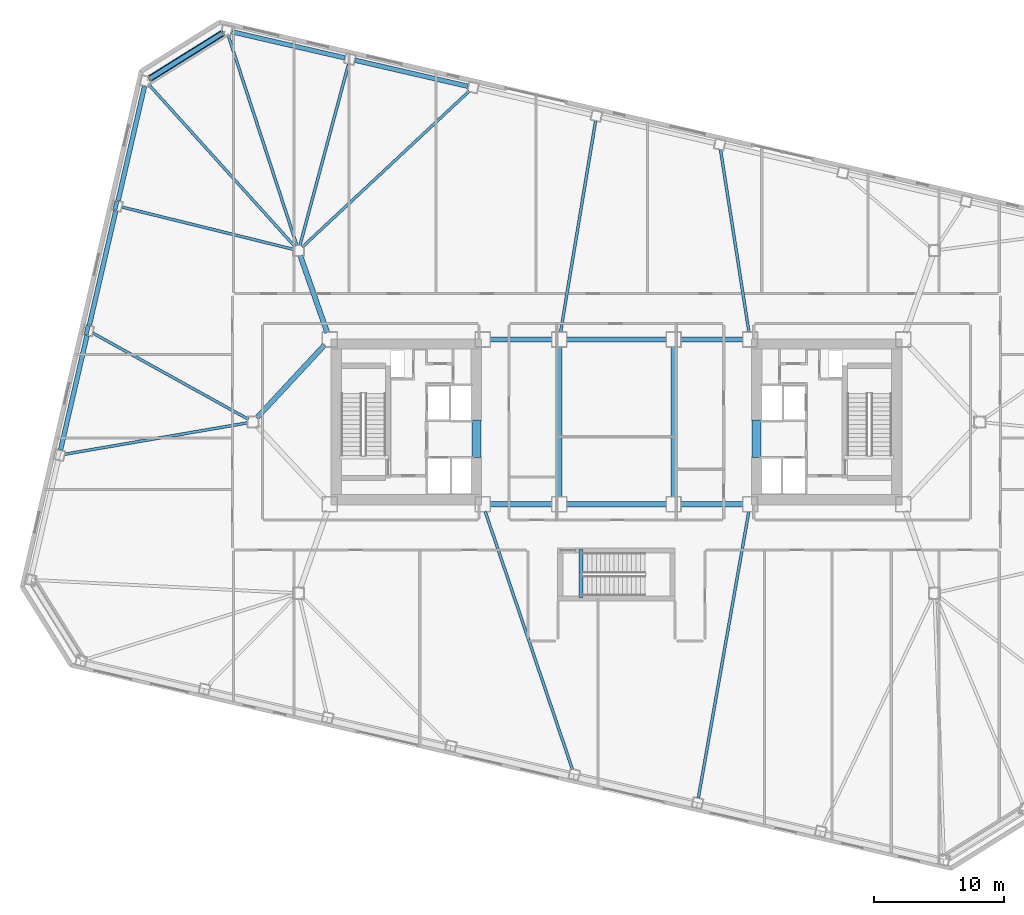
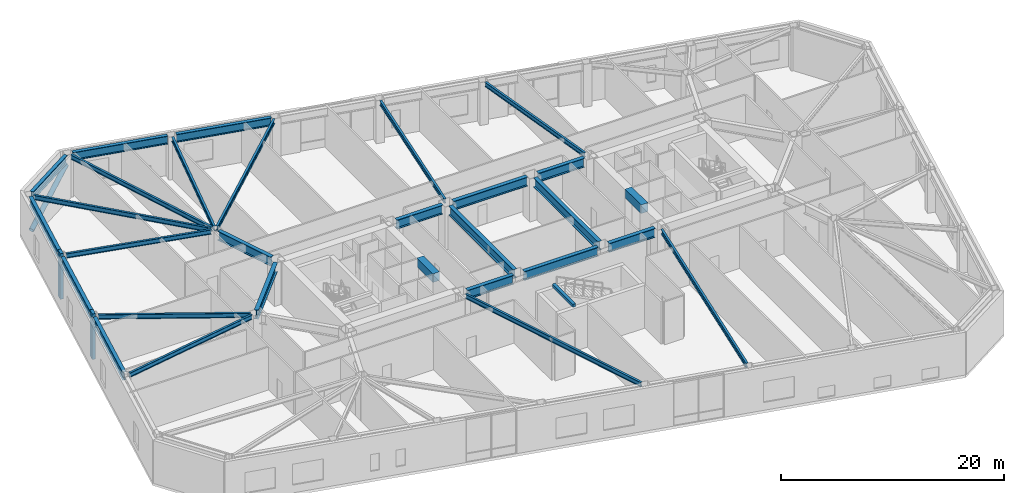
# One storey, part 5 of 21: 30 beams, 3 members.
"""IFC4 building model written with IfcOpenShell, lengths in metres."""

from ifc_helpers import new_model, si_unit, direction, frame, origin, origin_2d, place, context, subcontext, project, spatial, rectangle, hollow_circle, i_section, extrude, material, material_profile, profile_set, type_object, element, save


model = new_model("IFC4")

# Units and contexts
model_context = context("Model", 3, precision=1e-05, world=origin(), true_north=direction((0.0, 1.0)))
body_context = subcontext(model_context, "Body", "Model", "MODEL_VIEW")
ifc_project = project(units=[si_unit("LENGTHUNIT", "METRE"), si_unit("AREAUNIT", "SQUARE_METRE"), si_unit("VOLUMEUNIT", "CUBIC_METRE"), si_unit("PLANEANGLEUNIT", "RADIAN"), si_unit("MASSUNIT", "GRAM", prefix="KILO")], contexts=[model_context])

# Site, building, storey
site_placement = place(None, origin())
site = spatial("IfcSite", under=ifc_project, at=site_placement, CompositionType="ELEMENT")
building_placement = place(site_placement, origin())
building = spatial("IfcBuilding", under=site, at=building_placement, Name="Tavrogorsk Clinical Tower", CompositionType="ELEMENT")
storey_placement = place(building_placement, frame((0.0, 0.0, 8.39990234375)))
storey = spatial("IfcBuildingStorey", under=building, at=storey_placement, Name="L01", CompositionType="ELEMENT", Elevation=8.39990234375)

# Beams
ifc_material_1 = material(Name="Concrete B80", Category="concrete")
ifc_material_profile_1 = material_profile(ifc_material_1, rectangle(XDim=0.699951171875, YDim=0.949951171875, at=origin_2d()), Name="RC-CB-700x950")
ifc_profile_set_1 = profile_set([ifc_material_profile_1], Name="Concrete B80")
beam_type_1 = type_object("IfcBeamType", Name="CouplingBeam_RC700x950", PredefinedType="LINTEL", material=ifc_profile_set_1)
for number, where, z_axis, x_axis, name in (
    (1, (-10.800048828125, -2.75, 4.22509765625), (0.0, 1.0, 0.0), (-1.0, 0.0, 0.0), "L01 Core West Coupling Beam"),
    (2, (10.800048828125, -2.75, 4.22509765625), (0.0, 1.0, 0.0), (-1.0, 0.0, 0.0), "L01 Core East Coupling Beam"),
):
    element("IfcBeam", number, at=place(storey_placement, frame(where, z_axis=z_axis, x_axis=x_axis)), inside=storey, type_object=beam_type_1, Name=name, PredefinedType="LINTEL", context=body_context, shape_type="SweptSolid", body=[
        extrude(rectangle(XDim=0.699951171875, YDim=0.949951171875, at=origin_2d()), origin(), (0.0, 0.0, 1.0), 2.89990234375),
    ])

# Member
ifc_material_2 = material(Name="Structural steel S440", Category="steel")
ifc_material_profile_2 = material_profile(ifc_material_2, hollow_circle(Radius=0.25390625, WallThickness=0.02001953125, at=origin_2d()), Name="CHS-508x20")
ifc_profile_set_2 = profile_set([ifc_material_profile_2], Name="Structural steel S440")
member_type_1 = type_object("IfcMemberType", Name="ExoBrace_CHS508", PredefinedType="BRACE", material=ifc_profile_set_2)
member_placement = place(storey_placement, frame((-35.962890625, 26.455322265625, 0.473388671875), z_axis=(0.767742085231, 0.479763626157, 0.424733979783), x_axis=(-0.529939224938, 0.848035622997, 0.0)))
element("IfcMember", 3, at=member_placement, inside=storey, type_object=member_type_1, Name="L01 Corner Exoskeleton Brace N8-W1", PredefinedType="BRACE", context=body_context, shape_type="SweptSolid", body=[
    extrude(hollow_circle(Radius=0.25390625, WallThickness=0.02001953125, at=origin_2d()), origin(), (0.0, 0.0, 1.0), 7.306884765625),
])

# Beams
ifc_material_3 = material(Name="Structural steel S355", Category="steel")
ifc_material_profile_3 = material_profile(ifc_material_3, i_section(OverallWidth=0.219970703125, OverallDepth=0.5, WebThickness=0.012939453125, FlangeThickness=0.02001953125, at=origin_2d()), Name="B-500x220x13x20")
ifc_profile_set_3 = profile_set([ifc_material_profile_3], Name="Structural steel S355")
beam_type_2 = type_object("IfcBeamType", Name="FloorBeam_B500", PredefinedType="BEAM", material=ifc_profile_set_3)
beam_1_placement = place(storey_placement, frame((-10.12060546875, -6.88037109375, 4.4501953125), z_axis=(0.320354062285, -0.947297880699, 0.0), x_axis=(0.947297880699, 0.320354062285, 0.0)))
element("IfcBeam", 4, at=beam_1_placement, inside=storey, type_object=beam_type_2, Name="L01 Radial Floor Beam S5", PredefinedType="BEAM", context=body_context, shape_type="SweptSolid", body=[
    extrude(i_section(OverallWidth=0.219970703125, OverallDepth=0.5, WebThickness=0.012939453125, FlangeThickness=0.02001953125, at=origin_2d()), origin(), (0.0, 0.0, 1.0), 21.0185546875),
])
beam_2_placement = place(storey_placement, frame((10.202880859375, -6.901611328125, 4.4501953125), z_axis=(-0.173586433417, -0.984818638194, 0.0), x_axis=(0.984818638194, -0.173586433417, 0.0)))
element("IfcBeam", 5, at=beam_2_placement, inside=storey, type_object=beam_type_2, Name="L01 Radial Floor Beam S6", PredefinedType="BEAM", context=body_context, shape_type="SweptSolid", body=[
    extrude(i_section(OverallWidth=0.219970703125, OverallDepth=0.5, WebThickness=0.012939453125, FlangeThickness=0.02001953125, at=origin_2d()), origin(), (0.0, 0.0, 1.0), 22.407470703125),
])
beam_3_placement = place(storey_placement, frame((10.213623046875, 6.9033203125, 4.4501953125), z_axis=(-0.154089917001, 0.988056829073, 0.0), x_axis=(-0.988056829073, -0.154089917001, 0.0)))
element("IfcBeam", 6, at=beam_3_placement, inside=storey, type_object=beam_type_2, Name="L01 Radial Floor Beam N4", PredefinedType="BEAM", context=body_context, shape_type="SweptSolid", body=[
    extrude(i_section(OverallWidth=0.219970703125, OverallDepth=0.5, WebThickness=0.012939453125, FlangeThickness=0.02001953125, at=origin_2d()), origin(), (0.0, 0.0, 1.0), 14.24853515625),
])
beam_4_placement = place(storey_placement, frame((-4.308349609375, 6.90234375, 4.4501953125), z_axis=(0.163563683006, 0.986532777763, 0.0), x_axis=(-0.986532777763, 0.163563683006, 0.0)))
element("IfcBeam", 7, at=beam_4_placement, inside=storey, type_object=beam_type_2, Name="L01 Radial Floor Beam N5", PredefinedType="BEAM", context=body_context, shape_type="SweptSolid", body=[
    extrude(i_section(OverallWidth=0.219970703125, OverallDepth=0.5, WebThickness=0.012939453125, FlangeThickness=0.02001953125, at=origin_2d()), origin(), (0.0, 0.0, 1.0), 16.4951171875),
])
beam_5_placement = place(storey_placement, frame((-24.200439453125, 13.47998046875, 4.4501953125), z_axis=(0.730781163302, 0.682611816015, 0.0), x_axis=(-0.682611816015, 0.730781163302, 0.0)))
element("IfcBeam", 8, at=beam_5_placement, inside=storey, type_object=beam_type_2, Name="L01 Radial Floor Beam N6", PredefinedType="BEAM", context=body_context, shape_type="SweptSolid", body=[
    extrude(i_section(OverallWidth=0.219970703125, OverallDepth=0.5, WebThickness=0.012939453125, FlangeThickness=0.02001953125, at=origin_2d()), origin(), (0.0, 0.0, 1.0), 17.597412109375),
])
beam_6_placement = place(storey_placement, frame((-24.393798828125, 13.595947265625, 4.4501953125), z_axis=(0.25900262632, 0.965876617151, 0.0), x_axis=(-0.965876617151, 0.25900262632, 0.0)))
element("IfcBeam", 9, at=beam_6_placement, inside=storey, type_object=beam_type_2, Name="L01 Radial Floor Beam N7", PredefinedType="BEAM", context=body_context, shape_type="SweptSolid", body=[
    extrude(i_section(OverallWidth=0.219970703125, OverallDepth=0.5, WebThickness=0.012939453125, FlangeThickness=0.02001953125, at=origin_2d()), origin(), (0.0, 0.0, 1.0), 14.46728515625),
])
beam_7_placement = place(storey_placement, frame((-24.62744140625, 13.58984375, 4.4501953125), z_axis=(-0.310546210819, 0.950558283824, 0.0), x_axis=(-0.950558283824, -0.310546210819, 0.0)))
element("IfcBeam", 10, at=beam_7_placement, inside=storey, type_object=beam_type_2, Name="L01 Radial Floor Beam N8", PredefinedType="BEAM", context=body_context, shape_type="SweptSolid", body=[
    extrude(i_section(OverallWidth=0.219970703125, OverallDepth=0.5, WebThickness=0.012939453125, FlangeThickness=0.02001953125, at=origin_2d()), origin(), (0.0, 0.0, 1.0), 17.0205078125),
])
beam_8_placement = place(storey_placement, frame((-24.774658203125, 13.50439453125, 4.4501953125), z_axis=(-0.669660294237, 0.742667550337, 0.0), x_axis=(-0.742667550337, -0.669660294237, 0.0)))
element("IfcBeam", 11, at=beam_8_placement, inside=storey, type_object=beam_type_2, Name="L01 Radial Floor Beam W1", PredefinedType="BEAM", context=body_context, shape_type="SweptSolid", body=[
    extrude(i_section(OverallWidth=0.219970703125, OverallDepth=0.5, WebThickness=0.012939453125, FlangeThickness=0.02001953125, at=origin_2d()), origin(), (0.0, 0.0, 1.0), 16.76708984375),
])
beam_9_placement = place(storey_placement, frame((-24.89794921875, 13.298095703125, 4.4501953125), z_axis=(-0.970889910259, 0.23952616174, 0.0), x_axis=(-0.23952616174, -0.970889910259, 0.0)))
element("IfcBeam", 12, at=beam_9_placement, inside=storey, type_object=beam_type_2, Name="L01 Radial Floor Beam W2", PredefinedType="BEAM", context=body_context, shape_type="SweptSolid", body=[
    extrude(i_section(OverallWidth=0.219970703125, OverallDepth=0.5, WebThickness=0.012939453125, FlangeThickness=0.02001953125, at=origin_2d()), origin(), (0.0, 0.0, 1.0), 13.595947265625),
])
beam_10_placement = place(storey_placement, frame((-28.358642578125, 0.19873046875, 4.4501953125), z_axis=(-0.874654711976, 0.484746464472, 0.0), x_axis=(-0.484746464472, -0.874654711976, 0.0)))
element("IfcBeam", 13, at=beam_10_placement, inside=storey, type_object=beam_type_2, Name="L01 Radial Floor Beam W3", PredefinedType="BEAM", context=body_context, shape_type="SweptSolid", body=[
    extrude(i_section(OverallWidth=0.219970703125, OverallDepth=0.5, WebThickness=0.012939453125, FlangeThickness=0.02001953125, at=origin_2d()), origin(), (0.0, 0.0, 1.0), 13.7158203125),
])
beam_11_placement = place(storey_placement, frame((-28.404052734375, -0.0693359375, 4.4501953125), z_axis=(-0.985592408786, -0.169137824698, 0.0), x_axis=(0.169137824698, -0.985592408786, 0.0)))
element("IfcBeam", 14, at=beam_11_placement, inside=storey, type_object=beam_type_2, Name="L01 Radial Floor Beam W4", PredefinedType="BEAM", context=body_context, shape_type="SweptSolid", body=[
    extrude(i_section(OverallWidth=0.219970703125, OverallDepth=0.5, WebThickness=0.012939453125, FlangeThickness=0.02001953125, at=origin_2d()), origin(), (0.0, 0.0, 1.0), 14.33056640625),
])

# Members
ifc_material_4 = material(Name="Precast concrete B45 with limestone cladding", Category="masonry")
ifc_material_profile_4 = material_profile(ifc_material_4, rectangle(XDim=0.320068359375, YDim=0.719970703125, at=origin_2d()), Name="LIMESTONE-FIN-320x720")
ifc_profile_set_4 = profile_set([ifc_material_profile_4], Name="Precast concrete B45 with limestone cladding")
member_type_2 = type_object("IfcMemberType", Name="LimestonePleatFin_320x720", PredefinedType="USERDEFINED", material=ifc_profile_set_4)
for number, where, z_axis, x_axis, name in (
    (15, (-38.572265625, 16.67041015625, 0.0), (0.0, 0.0, 1.0), (0.974370064785, -0.224951054344, 0.0), "L01 W Pleated Stone Fin 1"),
    (16, (-40.7900390625, 7.06298828125, 0.0), (0.0, 0.0, 1.0), (0.974370064785, -0.224951054344, 0.0), "L01 W Pleated Stone Fin 2"),
):
    element("IfcMember", number, at=place(storey_placement, frame(where, z_axis=z_axis, x_axis=x_axis)), inside=storey, type_object=member_type_2, Name=name, ObjectType="FIN", PredefinedType="USERDEFINED", context=body_context, shape_type="SweptSolid", body=[
        extrude(rectangle(XDim=0.320068359375, YDim=0.719970703125, at=origin_2d()), origin(), (0.0, 0.0, 1.0), 5.0),
    ])

# Beams
ifc_material_5 = material(Name="Concrete B60", Category="concrete")
ifc_material_profile_5 = material_profile(ifc_material_5, rectangle(XDim=0.300048828125, YDim=0.35009765625, at=origin_2d()), Name="RC-SHB-300x350")
ifc_profile_set_5 = profile_set([ifc_material_profile_5], Name="Concrete B60")
beam_type_3 = type_object("IfcBeamType", Name="StairHeaderBeam_RC300x350", PredefinedType="BEAM", material=ifc_profile_set_5)
beam_12_placement = place(storey_placement, frame((-2.719970703125, -13.550048828125, 4.8251953125), z_axis=(0.0, 1.0, 0.0), x_axis=(-1.0, 0.0, 0.0)))
element("IfcBeam", 17, at=beam_12_placement, inside=storey, type_object=beam_type_3, Name="L02 ST-P Landing Header Beam", PredefinedType="BEAM", context=body_context, shape_type="SweptSolid", body=[
    extrude(rectangle(XDim=0.300048828125, YDim=0.35009765625, at=origin_2d()), origin(), (0.0, 0.0, 1.0), 3.699951171875),
])
ifc_material_6 = material(Name="Structural steel S440", Category="steel")
ifc_material_profile_6 = material_profile(ifc_material_6, i_section(OverallWidth=0.39990234375, OverallDepth=1.0, WebThickness=0.028076171875, FlangeThickness=0.044921875, at=origin_2d()), Name="DK-1000x400x28x45")
ifc_profile_set_6 = profile_set([ifc_material_profile_6], Name="Structural steel S440")
beam_type_4 = type_object("IfcBeamType", Name="TransferGirder_DK1000", PredefinedType="USERDEFINED", material=ifc_profile_set_6)
for number, where, z_axis, x_axis, name in (
    (18, (-9.739990234375, -6.35009765625, 4.2001953125), (1.0, 0.0, 0.0), (0.0, 1.0, 0.0), "L01 Primary Spine Girder MG-01"),
    (19, (-9.739990234375, 6.35009765625, 4.2001953125), (1.0, 0.0, 0.0), (0.0, 1.0, 0.0), "L01 Primary Spine Girder MG-02"),
):
    element("IfcBeam", number, at=place(storey_placement, frame(where, z_axis=z_axis, x_axis=x_axis)), inside=storey, type_object=beam_type_4, Name=name, ObjectType="GIRDER", PredefinedType="USERDEFINED", context=body_context, shape_type="SweptSolid", body=[
        extrude(i_section(OverallWidth=0.39990234375, OverallDepth=1.0, WebThickness=0.028076171875, FlangeThickness=0.044921875, at=origin_2d()), origin(), (0.0, 0.0, 1.0), 4.780029296875),
    ])
for number, where, z_axis, x_axis, name in (
    (20, (-3.840087890625, -6.35009765625, 4.2001953125), (1.0, 0.0, 0.0), (0.0, 1.0, 0.0), "L01 Primary Spine Girder MG-03"),
    (21, (-3.840087890625, 6.35009765625, 4.2001953125), (1.0, 0.0, 0.0), (0.0, 1.0, 0.0), "L01 Primary Spine Girder MG-04"),
):
    element("IfcBeam", number, at=place(storey_placement, frame(where, z_axis=z_axis, x_axis=x_axis)), inside=storey, type_object=beam_type_4, Name=name, ObjectType="GIRDER", PredefinedType="USERDEFINED", context=body_context, shape_type="SweptSolid", body=[
        extrude(i_section(OverallWidth=0.39990234375, OverallDepth=1.0, WebThickness=0.028076171875, FlangeThickness=0.044921875, at=origin_2d()), origin(), (0.0, 0.0, 1.0), 7.68017578125),
    ])
for number, where, z_axis, x_axis, name in (
    (22, (4.9599609375, -6.35009765625, 4.2001953125), (1.0, 0.0, 0.0), (0.0, 1.0, 0.0), "L01 Primary Spine Girder MG-05"),
    (23, (4.9599609375, 6.35009765625, 4.2001953125), (1.0, 0.0, 0.0), (0.0, 1.0, 0.0), "L01 Primary Spine Girder MG-06"),
):
    element("IfcBeam", number, at=place(storey_placement, frame(where, z_axis=z_axis, x_axis=x_axis)), inside=storey, type_object=beam_type_4, Name=name, ObjectType="GIRDER", PredefinedType="USERDEFINED", context=body_context, shape_type="SweptSolid", body=[
        extrude(i_section(OverallWidth=0.39990234375, OverallDepth=1.0, WebThickness=0.028076171875, FlangeThickness=0.044921875, at=origin_2d()), origin(), (0.0, 0.0, 1.0), 4.780029296875),
    ])
for number, where, z_axis, x_axis, name in (
    (24, (-4.39990234375, -5.7900390625, 4.2001953125), (0.0, 1.0, 0.0), (-1.0, 0.0, 0.0), "L01 Primary Spine Girder MG-07"),
    (25, (4.39990234375, -5.7900390625, 4.2001953125), (0.0, 1.0, 0.0), (-1.0, 0.0, 0.0), "L01 Primary Spine Girder MG-08"),
):
    element("IfcBeam", number, at=place(storey_placement, frame(where, z_axis=z_axis, x_axis=x_axis)), inside=storey, type_object=beam_type_4, Name=name, ObjectType="GIRDER", PredefinedType="USERDEFINED", context=body_context, shape_type="SweptSolid", body=[
        extrude(i_section(OverallWidth=0.39990234375, OverallDepth=1.0, WebThickness=0.028076171875, FlangeThickness=0.044921875, at=origin_2d()), origin(), (0.0, 0.0, 1.0), 11.580078125),
    ])
beam_13_placement = place(storey_placement, frame((-24.364501953125, 12.81298828125, 4.2001953125), z_axis=(0.330668611543, -0.943746930771, 0.0), x_axis=(0.943746930771, 0.330668611543, 0.0)))
element("IfcBeam", 26, at=beam_13_placement, inside=storey, type_object=beam_type_4, Name="L01 Spine Link Girder OPG-3", ObjectType="GIRDER", PredefinedType="USERDEFINED", context=body_context, shape_type="SweptSolid", body=[
    extrude(i_section(OverallWidth=0.39990234375, OverallDepth=1.0, WebThickness=0.028076171875, FlangeThickness=0.044921875, at=origin_2d()), origin(), (0.0, 0.0, 1.0), 6.288330078125),
])
beam_14_placement = place(storey_placement, frame((-27.720947265625, 0.30029296875, 4.2001953125), z_axis=(0.680671250221, 0.732589004233, 0.0), x_axis=(-0.732589004233, 0.680671250221, 0.0)))
element("IfcBeam", 27, at=beam_14_placement, inside=storey, type_object=beam_type_4, Name="L01 Spine Link Girder OPG-6", ObjectType="GIRDER", PredefinedType="USERDEFINED", context=body_context, shape_type="SweptSolid", body=[
    extrude(i_section(OverallWidth=0.39990234375, OverallDepth=1.0, WebThickness=0.028076171875, FlangeThickness=0.044921875, at=origin_2d()), origin(), (0.0, 0.0, 1.0), 7.697998046875),
])
ifc_material_7 = material(Name="Structural steel S440", Category="steel")
ifc_material_profile_7 = material_profile(ifc_material_7, i_section(OverallWidth=0.360107421875, OverallDepth=0.89990234375, WebThickness=0.02392578125, FlangeThickness=0.0400390625, at=origin_2d()), Name="DK-900x360x24x40")
ifc_profile_set_7 = profile_set([ifc_material_profile_7], Name="Structural steel S440")
beam_type_5 = type_object("IfcBeamType", Name="TransferGirder_DK900", PredefinedType="USERDEFINED", material=ifc_profile_set_7)
for number, where, z_axis, x_axis, name in (
    (28, (-11.43994140625, 25.862548828125, 4.25), (-0.974372766602, 0.224939351168, 0.0), (-0.224939351168, -0.974372766602, 0.0), "L01 Perimeter Spandrel N6-N7"),
    (29, (-20.9384765625, 28.055419921875, 4.25), (-0.974366775889, 0.224965299645, 0.0), (-0.224965299645, -0.974366775889, 0.0), "L01 Perimeter Spandrel N7-N8"),
):
    element("IfcBeam", number, at=place(storey_placement, frame(where, z_axis=z_axis, x_axis=x_axis)), inside=storey, type_object=beam_type_5, Name=name, ObjectType="GIRDER", PredefinedType="USERDEFINED", context=body_context, shape_type="SweptSolid", body=[
        extrude(i_section(OverallWidth=0.360107421875, OverallDepth=0.89990234375, WebThickness=0.02392578125, FlangeThickness=0.0400390625, at=origin_2d()), origin(), (0.0, 0.0, 1.0), 8.9326171875),
    ])
beam_15_placement = place(storey_placement, frame((-30.3857421875, 29.9404296875, 4.25), z_axis=(-0.848044454239, -0.529925092475, 0.0), x_axis=(0.529925092475, -0.848044454239, 0.0)))
element("IfcBeam", 30, at=beam_15_placement, inside=storey, type_object=beam_type_5, Name="L01 Perimeter Spandrel N8-W1", ObjectType="GIRDER", PredefinedType="USERDEFINED", context=body_context, shape_type="SweptSolid", body=[
    extrude(i_section(OverallWidth=0.360107421875, OverallDepth=0.89990234375, WebThickness=0.02392578125, FlangeThickness=0.0400390625, at=origin_2d()), origin(), (0.0, 0.0, 1.0), 6.537841796875),
])
beam_16_placement = place(storey_placement, frame((-36.367919921875, 25.862060546875, 4.25), z_axis=(-0.224952169462, -0.974369807339, 0.0), x_axis=(0.974369807339, -0.224952169462, 0.0)))
element("IfcBeam", 31, at=beam_16_placement, inside=storey, type_object=beam_type_5, Name="L01 Perimeter Spandrel W1-W2", ObjectType="GIRDER", PredefinedType="USERDEFINED", context=body_context, shape_type="SweptSolid", body=[
    extrude(i_section(OverallWidth=0.360107421875, OverallDepth=0.89990234375, WebThickness=0.02392578125, FlangeThickness=0.0400390625, at=origin_2d()), origin(), (0.0, 0.0, 1.0), 9.043701171875),
])
beam_17_placement = place(storey_placement, frame((-38.5859375, 16.2548828125, 4.25), z_axis=(-0.224946252597, -0.974371173343, 0.0), x_axis=(0.974371173343, -0.224946252597, 0.0)))
element("IfcBeam", 32, at=beam_17_placement, inside=storey, type_object=beam_type_5, Name="L01 Perimeter Spandrel W2-W3", ObjectType="GIRDER", PredefinedType="USERDEFINED", context=body_context, shape_type="SweptSolid", body=[
    extrude(i_section(OverallWidth=0.360107421875, OverallDepth=0.89990234375, WebThickness=0.02392578125, FlangeThickness=0.0400390625, at=origin_2d()), origin(), (0.0, 0.0, 1.0), 9.0439453125),
])
beam_18_placement = place(storey_placement, frame((-40.803955078125, 6.6474609375, 4.25), z_axis=(-0.224952169462, -0.974369807339, 0.0), x_axis=(0.974369807339, -0.224952169462, 0.0)))
element("IfcBeam", 33, at=beam_18_placement, inside=storey, type_object=beam_type_5, Name="L01 Perimeter Spandrel W3-W4", ObjectType="GIRDER", PredefinedType="USERDEFINED", context=body_context, shape_type="SweptSolid", body=[
    extrude(i_section(OverallWidth=0.360107421875, OverallDepth=0.89990234375, WebThickness=0.02392578125, FlangeThickness=0.0400390625, at=origin_2d()), origin(), (0.0, 0.0, 1.0), 9.043701171875),
])

save(model, "model.ifc")
